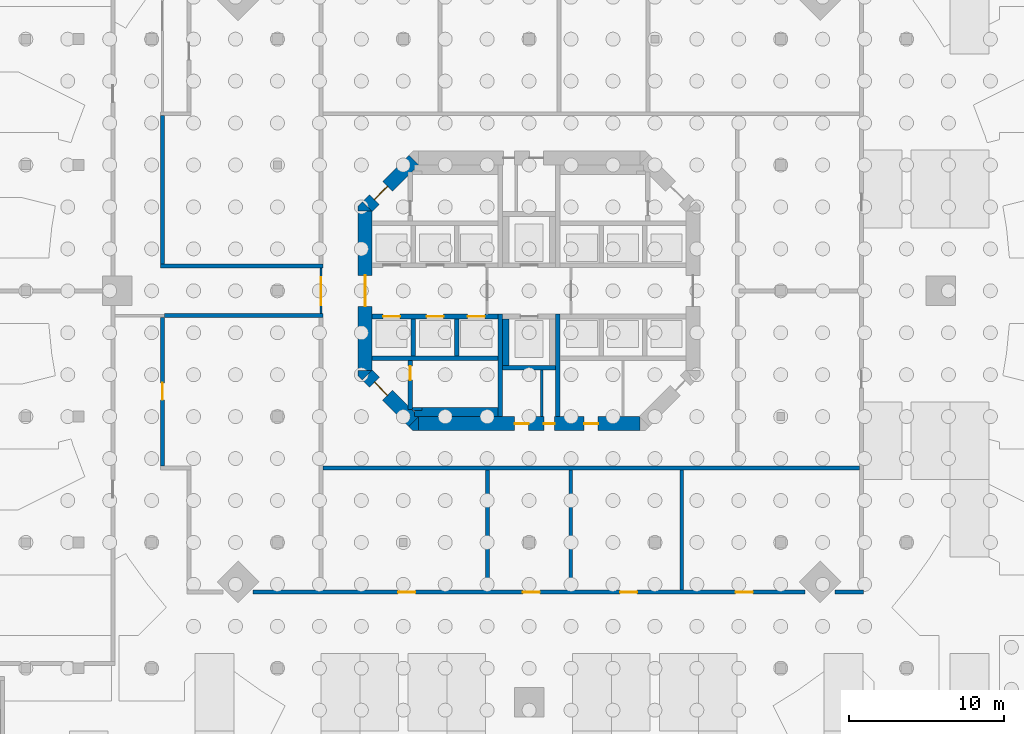
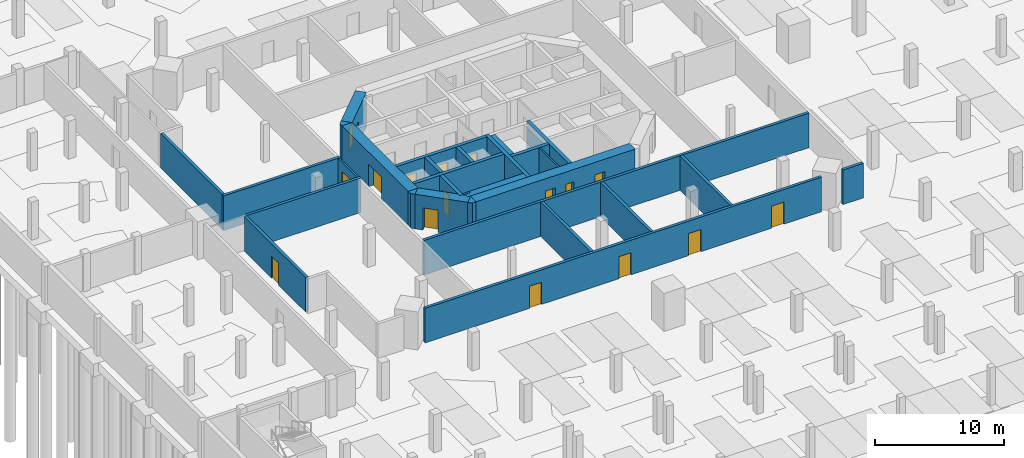
# One storey, part 13 of 23: 30 walls, 16 doors, 16 openings.
"""IFC4 building model written with IfcOpenShell, lengths in metres."""

import ifcopenshell
import ifcopenshell.guid

model = None  # the IFC model being written
_history = None  # IfcOwnerHistory: only IFC2X3 demands one
_inside = {}  # id of a spatial element -> (the spatial element, [elements in it])
_under = {}  # id of a project, library or spatial element -> (it, [spatial elements below it])
_declared = {}  # id of a project -> (the project, [libraries it declares])
_typed = {}  # id of a type object -> (the type object, [elements of that type])
_made_of = {}  # id of a material, layer set ... -> (it, [elements and type objects made of it])


def new_model(schema):
    """Start an empty IFC model of exactly this schema.

    Asked for "IFC4X3", IfcOpenShell would pick the latest addendum, in which some entities
    have other attributes; the version numbers below select the first issue.
    IFC2X3 requires an IfcOwnerHistory on every rooted entity: one is made here for all.
    """
    global model, _history
    if schema == "IFC4X3":
        model = ifcopenshell.file(schema_version=(4, 3, 0, 0))
    else:
        model = ifcopenshell.file(schema=schema)
    _inside.clear()
    _under.clear()
    _declared.clear()
    _typed.clear()
    _made_of.clear()
    _history = None
    if model.schema == "IFC2X3":
        org = make("IfcOrganization", Name="unknown")
        user = make(
            "IfcPersonAndOrganization",
            ThePerson=make("IfcPerson", FamilyName="unknown"),
            TheOrganization=org,
        )
        app = make(
            "IfcApplication",
            ApplicationDeveloper=org,
            Version="unknown",
            ApplicationFullName="unknown",
            ApplicationIdentifier="unknown",
        )
        _history = make(
            "IfcOwnerHistory",
            OwningUser=user,
            OwningApplication=app,
            ChangeAction="ADDED",
            CreationDate=0,
        )
    return model


def make(cls, **values):
    """One entity of the class cls with the attributes given. An attribute that is None is left unset."""
    return model.create_entity(
        cls, **{name: value for name, value in values.items() if value is not None}
    )


def rooted(cls, **values):
    """An entity with a GlobalId (a new one), such as an element, a storey or a relation."""
    return make(cls, GlobalId=ifcopenshell.guid.new(), OwnerHistory=_history, **values)


def si_unit(unit_type, name, prefix=None):
    """IfcSIUnit, for example si_unit("LENGTHUNIT", "METRE", prefix="MILLI")."""
    return make("IfcSIUnit", UnitType=unit_type, Prefix=prefix, Name=name)


def assignment(units):
    """IfcUnitAssignment: the units of a project."""
    return None if units is None else make("IfcUnitAssignment", Units=units)


def point(xyz):
    """IfcCartesianPoint."""
    return None if xyz is None else make("IfcCartesianPoint", Coordinates=xyz)


def direction(xyz):
    """IfcDirection."""
    return None if xyz is None else make("IfcDirection", DirectionRatios=xyz)


def frame(location, z_axis=None, x_axis=None):
    """IfcAxis2Placement3D, a coordinate frame: its origin and axes. An axis left out is left unset."""
    return make(
        "IfcAxis2Placement3D",
        Location=point(location),
        Axis=direction(z_axis),
        RefDirection=direction(x_axis),
    )


def frame_2d(location, x_axis=None):
    """IfcAxis2Placement2D, a coordinate frame in the plane: its origin and x axis."""
    return make(
        "IfcAxis2Placement2D", Location=point(location), RefDirection=direction(x_axis)
    )


def origin():
    """The frame at (0, 0, 0) with its axes left unset."""
    return frame((0.0, 0.0, 0.0))


def place(relative_to, where):
    """IfcLocalPlacement: puts the frame where relative to a parent placement (None: the world)."""
    return make(
        "IfcLocalPlacement", PlacementRelTo=relative_to, RelativePlacement=where
    )


def context(
    kind, dimensions, precision=None, world=None, true_north=None, identifier=None
):
    """IfcGeometricRepresentationContext, for example the 3D "Model" context."""
    return make(
        "IfcGeometricRepresentationContext",
        ContextIdentifier=identifier,
        ContextType=kind,
        CoordinateSpaceDimension=dimensions,
        Precision=precision,
        WorldCoordinateSystem=world,
        TrueNorth=true_north,
    )


def subcontext(parent, identifier, kind, view, scale=None):
    """IfcGeometricRepresentationSubContext, for example "Body" below "Model"."""
    return make(
        "IfcGeometricRepresentationSubContext",
        ContextIdentifier=identifier,
        ContextType=kind,
        ParentContext=parent,
        TargetScale=scale,
        TargetView=view,
    )


def project(units=None, contexts=None):
    """IfcProject with its units and contexts."""
    return rooted(
        "IfcProject",
        Name="project",
        RepresentationContexts=contexts,
        UnitsInContext=assignment(units),
    )


def spatial(cls, under=None, at=None, **own):
    """A site, building, storey or space (cls), placed at a placement, below another one or the project."""
    s = rooted(cls, ObjectPlacement=at, **own)
    if under is not None:
        _under.setdefault(under.id(), (under, []))[1].append(s)
    return s


def polyline(points):
    """IfcPolyline through the points."""
    return make("IfcPolyline", Points=[point(p) for p in points])


def profile(cls, at=None, kind="AREA", **sizes):
    """A parametric profile (cls). Its sizes go by their IFC names, for example OverallWidth=200.0."""
    return make(cls, ProfileType=kind, Position=at, **sizes)


def rectangle(**sizes):
    """IfcRectangleProfileDef."""
    return profile("IfcRectangleProfileDef", **sizes)


def outline(outer, holes=None, kind="AREA"):
    """IfcArbitraryClosedProfileDef: a profile drawn as a closed curve; with holes, ...WithVoids."""
    if holes is None:
        return make("IfcArbitraryClosedProfileDef", ProfileType=kind, OuterCurve=outer)
    return make(
        "IfcArbitraryProfileDefWithVoids",
        ProfileType=kind,
        OuterCurve=outer,
        InnerCurves=holes,
    )


def extrude(swept, where, along, depth):
    """IfcExtrudedAreaSolid: the profile swept, set in the frame where, extruded along a direction by depth."""
    return make(
        "IfcExtrudedAreaSolid",
        SweptArea=swept,
        Position=where,
        ExtrudedDirection=direction(along),
        Depth=depth,
    )


def shape(context_of_items, identifier, shape_type, items):
    """IfcShapeRepresentation: the items that make up one representation, for example the "Body"."""
    return make(
        "IfcShapeRepresentation",
        ContextOfItems=context_of_items,
        RepresentationIdentifier=identifier,
        RepresentationType=shape_type,
        Items=items,
    )


def material(Name=None, Category=None):
    """IfcMaterial."""
    return make("IfcMaterial", Name=Name, Category=Category)


def layer(
    of_material, thickness, ventilated=None, Name=None, Category=None, Priority=None
):
    """IfcMaterialLayer: one layer of a wall or slab, of a material (None: an air gap)."""
    return make(
        "IfcMaterialLayer",
        Material=of_material,
        LayerThickness=thickness,
        IsVentilated=ventilated,
        Name=Name,
        Category=Category,
        Priority=Priority,
    )


def layer_set(layers, Name=None):
    """IfcMaterialLayerSet."""
    return make("IfcMaterialLayerSet", MaterialLayers=layers, LayerSetName=Name)


def made_of(thing, what):
    """Note that an element or type object is made of a material, layer set ...; save() writes the relation."""
    if what is not None:
        _made_of.setdefault(what.id(), (what, []))[1].append(thing)
    return thing


def type_object(cls, material=None, **own):
    """A type object (cls), such as IfcWallType, which elements share."""
    return made_of(rooted(cls, **own), material)


def element(
    cls,
    number,
    at=None,
    inside=None,
    cuts=None,
    type_object=None,
    material=None,
    context=None,
    identifier="Body",
    shape_type=None,
    held_by="IfcProductDefinitionShape",
    body=None,
    shapes=None,
    **own,
):
    """One element of the class cls, such as IfcWall. Its Tag is "e" and its number.

    at: its placement. inside: the storey or other place that contains it. cuts: it is an
    opening in that element (IfcRelVoidsElement). A single representation is given by context,
    identifier, shape_type and body (its items); several are given by shapes. held_by: the class
    of the entity that holds the representations. save() writes the other relations.
    """
    e = rooted(cls, Tag="e%d" % number, ObjectPlacement=at, **own)
    if body is not None:
        shapes = [shape(context, identifier, shape_type, body)]
    if shapes is not None:
        e.Representation = make(held_by, Representations=shapes)
    if inside is not None:
        _inside.setdefault(inside.id(), (inside, []))[1].append(e)
    if cuts is not None:
        rooted(
            "IfcRelVoidsElement", RelatingBuildingElement=cuts, RelatedOpeningElement=e
        )
    if type_object is not None:
        _typed.setdefault(type_object.id(), (type_object, []))[1].append(e)
    return made_of(e, material)


def fill(opening, filler):
    """IfcRelFillsElement: the door or window that sits in an opening."""
    return rooted(
        "IfcRelFillsElement",
        RelatingOpeningElement=opening,
        RelatedBuildingElement=filler,
    )


def aggregate(whole, parts):
    """IfcRelAggregates: a whole, such as a stair, and the parts it consists of."""
    return rooted("IfcRelAggregates", RelatingObject=whole, RelatedObjects=parts)


def save(model, path):
    """Write the relations noted so far, then the file.

    IfcRelAggregates (storeys below a building ...), IfcRelContainedInSpatialStructure (elements
    in a storey), IfcRelDefinesByType, IfcRelAssociatesMaterial and IfcRelDeclares: one each for
    every whole, place, type object, material and project.
    """
    for whole, parts in _under.values():
        aggregate(whole, parts)
    for where, things in _inside.values():
        rooted(
            "IfcRelContainedInSpatialStructure",
            RelatedElements=things,
            RelatingStructure=where,
        )
    for kind, things in _typed.values():
        rooted("IfcRelDefinesByType", RelatedObjects=things, RelatingType=kind)
    for what, things in _made_of.values():
        rooted("IfcRelAssociatesMaterial", RelatedObjects=things, RelatingMaterial=what)
    for by, libraries in _declared.values():
        rooted("IfcRelDeclares", RelatingContext=by, RelatedDefinitions=libraries)
    model.write(path)


model = new_model("IFC4")

# Units and contexts
model_context = context("Model", 3, precision=1e-05, world=origin(), true_north=direction((0.0, 1.0)))
body_context = subcontext(model_context, "Body", "Model", "MODEL_VIEW")
ifc_project = project(units=[si_unit("LENGTHUNIT", "METRE"), si_unit("AREAUNIT", "SQUARE_METRE"), si_unit("VOLUMEUNIT", "CUBIC_METRE"), si_unit("PLANEANGLEUNIT", "RADIAN"), si_unit("MASSUNIT", "GRAM", prefix="KILO")], contexts=[model_context])

# Site, building, storey
site_placement = place(None, origin())
site = spatial("IfcSite", under=ifc_project, at=site_placement, CompositionType="ELEMENT")
building_placement = place(site_placement, origin())
building = spatial("IfcBuilding", under=site, at=building_placement, Name="Torre Triforio", CompositionType="ELEMENT")
storey_placement = place(building_placement, frame((0.0, 0.0, -10.800048828125)))
storey = spatial("IfcBuildingStorey", under=building, at=storey_placement, Name="B3", CompositionType="ELEMENT", Elevation=-10.800048828125)

# Walls
ifc_material_1 = material(Name="Concrete C60", Category="concrete")
ifc_layer_1 = layer(ifc_material_1, 0.300048828125)
ifc_layer_set_1 = layer_set([ifc_layer_1], Name="Concrete C60")
wall_type_1 = type_object("IfcWallType", Name="Core wall 300 mm C60 EI 120", PredefinedType="SHEAR", material=ifc_layer_set_1)
for number, where, z_axis, x_axis, name in (
    (1, (-1.85009765625, -8.10009765625, 0.0), (0.0, 0.0, 1.0), (0.0, 1.0, 0.0), "Core wall"),
    (2, (1.85009765625, -8.10009765625, 0.0), (0.0, 0.0, 1.0), (0.0, 1.0, 0.0), "Core wall"),
):
    element("IfcWall", number, at=place(storey_placement, frame(where, z_axis=z_axis, x_axis=x_axis)), inside=storey, type_object=wall_type_1, Name=name, PredefinedType="SHEAR", context=body_context, shape_type="SweptSolid", body=[
        extrude(rectangle(XDim=6.60009765625, YDim=0.300048828125, at=frame_2d((3.300048828125, 0.0))), origin(), (0.0, 0.0, 1.0), 3.280029296875),
    ])

# Wall, openings, doors
ifc_layer_2 = layer(ifc_material_1, 0.89990234375)
ifc_layer_set_2 = layer_set([ifc_layer_2], Name="Concrete C60")
wall_type_2 = type_object("IfcWallType", Name="Core wall 900 mm C60 EI 120", PredefinedType="SHEAR", material=ifc_layer_set_2)
wall_1_placement = place(storey_placement, frame((-7.1298828125, -8.550048828125, 0.0), z_axis=(0.0, 0.0, 1.0), x_axis=(1.0, 0.0, 0.0)))
wall_1 = element("IfcWall", 3, at=wall_1_placement, inside=storey, type_object=wall_type_2, Name="Core wall", PredefinedType="SHEAR", context=body_context, shape_type="SweptSolid", body=[
    extrude(rectangle(XDim=14.259765625, YDim=0.89990234375, at=frame_2d((7.1298828125, 0.0))), origin(), (0.0, 0.0, 1.0), 3.280029296875),
])
opening_1_placement = place(wall_1_placement, frame((8.080078125, 0.0, 0.0)))
opening_1 = element("IfcOpeningElement", 4, at=opening_1_placement, cuts=wall_1, Name="Opening RISER-S", PredefinedType="OPENING", context=body_context, shape_type="SweptSolid", body=[
    extrude(rectangle(XDim=0.699951171875, YDim=2.10009765625, at=frame_2d((0.35009765625, 1.050048828125))), frame((0.0, 0.4599609375, 0.0), z_axis=(0.0, -1.0, 0.0), x_axis=(1.0, 0.0, 0.0)), (0.0, 0.0, 1.0), 0.919921875),
])
opening_2_placement = place(wall_1_placement, frame((6.205078125, 0.0, 0.0)))
opening_2 = element("IfcOpeningElement", 5, at=opening_2_placement, cuts=wall_1, Name="Opening SW-01", PredefinedType="OPENING", context=body_context, shape_type="SweptSolid", body=[
    extrude(rectangle(XDim=0.89990234375, YDim=2.10009765625, at=frame_2d((0.449951171875, 1.050048828125))), frame((0.0, 0.4599609375, 0.0), z_axis=(0.0, -1.0, 0.0), x_axis=(1.0, 0.0, 0.0)), (0.0, 0.0, 1.0), 0.919921875),
])
opening_3_placement = place(wall_1_placement, frame((10.66748046875, 0.0, 0.0)))
opening_3 = element("IfcOpeningElement", 6, at=opening_3_placement, cuts=wall_1, Name="Opening SE-01", PredefinedType="OPENING", context=body_context, shape_type="SweptSolid", body=[
    extrude(rectangle(XDim=0.89990234375, YDim=2.10009765625, at=frame_2d((0.449951171875, 1.050048828125))), frame((0.0, 0.4599609375, 0.0), z_axis=(0.0, -1.0, 0.0), x_axis=(1.0, 0.0, 0.0)), (0.0, 0.0, 1.0), 0.919921875),
])
ifc_material_2 = material(Name="Hollow metal fire door leaf")
door_type_1 = type_object("IfcDoorType", Name="Plant room door 900 x 2100 EI 60", OperationType="NOTDEFINED", PredefinedType="DOOR", material=ifc_material_2)
door_1_placement = place(opening_2_placement, origin())
door_1 = element("IfcDoor", 7, at=door_1_placement, inside=storey, type_object=door_type_1, Name="Core door SW-01", OperationType="SINGLE_SWING_RIGHT", OverallHeight=2.10009765625, OverallWidth=0.89990234375, PredefinedType="DOOR", context=body_context, shape_type="SweptSolid", body=[
    extrude(rectangle(XDim=0.89990234375, YDim=2.10009765625, at=frame_2d((0.449951171875, 1.050048828125))), frame((0.0, 0.02490234375, 0.0), z_axis=(0.0, -1.0, 0.0), x_axis=(1.0, 0.0, 0.0)), (0.0, 0.0, 1.0), 0.050048828125),
])
fill(opening_2, door_1)
door_2_placement = place(opening_3_placement, origin())
door_2 = element("IfcDoor", 8, at=door_2_placement, inside=storey, type_object=door_type_1, Name="Core door SE-01", OperationType="SINGLE_SWING_RIGHT", OverallHeight=2.10009765625, OverallWidth=0.89990234375, PredefinedType="DOOR", context=body_context, shape_type="SweptSolid", body=[
    extrude(rectangle(XDim=0.89990234375, YDim=2.10009765625, at=frame_2d((0.449951171875, 1.050048828125))), frame((0.0, 0.02490234375, 0.0), z_axis=(0.0, -1.0, 0.0), x_axis=(1.0, 0.0, 0.0)), (0.0, 0.0, 1.0), 0.050048828125),
])
fill(opening_3, door_2)
door_type_2 = type_object("IfcDoorType", Name="Riser door 700 x 2100 EI 60", OperationType="NOTDEFINED", PredefinedType="DOOR", material=ifc_material_2)
door_3_placement = place(opening_1_placement, origin())
door_3 = element("IfcDoor", 9, at=door_3_placement, inside=storey, type_object=door_type_2, Name="Core door RISER-S", OperationType="SINGLE_SWING_RIGHT", OverallHeight=2.10009765625, OverallWidth=0.699951171875, PredefinedType="DOOR", context=body_context, shape_type="SweptSolid", body=[
    extrude(rectangle(XDim=0.699951171875, YDim=2.10009765625, at=frame_2d((0.35009765625, 1.050048828125))), frame((0.0, 0.02490234375, 0.0), z_axis=(0.0, -1.0, 0.0), x_axis=(1.0, 0.0, 0.0)), (0.0, 0.0, 1.0), 0.050048828125),
])
fill(opening_1, door_3)

# Wall, opening, door
wall_2_placement = place(storey_placement, frame((-10.550048828125, -5.1298828125, 0.0), z_axis=(0.0, 0.0, 1.0), x_axis=(0.0, 1.0, 0.0)))
wall_2 = element("IfcWall", 10, at=wall_2_placement, inside=storey, type_object=wall_type_2, Name="Core wall", PredefinedType="SHEAR", context=body_context, shape_type="SweptSolid", body=[
    extrude(rectangle(XDim=10.259765625, YDim=0.89990234375, at=frame_2d((5.1298828125, 0.0))), origin(), (0.0, 0.0, 1.0), 3.280029296875),
])
opening_4_placement = place(wall_2_placement, frame((4.1298828125, 0.0, 0.0)))
opening_4 = element("IfcOpeningElement", 11, at=opening_4_placement, cuts=wall_2, Name="Opening W-RING", PredefinedType="OPENING", context=body_context, shape_type="SweptSolid", body=[
    extrude(rectangle(XDim=2.0, YDim=2.10009765625, at=frame_2d((1.0, 1.050048828125))), frame((0.0, 0.4599609375, 0.0), z_axis=(0.0, -1.0, 0.0), x_axis=(1.0, 0.0, 0.0)), (0.0, 0.0, 1.0), 0.919921875),
])
door_type_3 = type_object("IfcDoorType", Name="Lobby door 2000 x 2100 EI 60", OperationType="DOUBLE_DOOR_SINGLE_SWING", PredefinedType="DOOR", material=ifc_material_2)
door_4_placement = place(opening_4_placement, origin())
door_4 = element("IfcDoor", 12, at=door_4_placement, inside=storey, type_object=door_type_3, Name="Core door W-RING", OperationType="DOUBLE_DOOR_SINGLE_SWING", OverallHeight=2.10009765625, OverallWidth=2.0, PredefinedType="DOOR", context=body_context, shape_type="SweptSolid", body=[
    extrude(rectangle(XDim=2.0, YDim=2.10009765625, at=frame_2d((1.0, 1.050048828125))), frame((0.0, 0.02490234375, 0.0), z_axis=(0.0, -1.0, 0.0), x_axis=(1.0, 0.0, 0.0)), (0.0, 0.0, 1.0), 0.050048828125),
])
fill(opening_4, door_4)

wall_3_placement = place(storey_placement, frame((-10.418212890625, 5.418212890625, 0.0), z_axis=(0.0, 0.0, 1.0), x_axis=(0.707106781187, 0.707106781187, 0.0)))
wall_3 = element("IfcWall", 13, at=wall_3_placement, inside=storey, type_object=wall_type_2, Name="Core wall", PredefinedType="SHEAR", context=body_context, shape_type="SweptSolid", body=[
    extrude(rectangle(XDim=4.24267578125, YDim=0.89990234375, at=frame_2d((2.121337890625, 0.0))), origin(), (0.0, 0.0, 1.0), 3.280029296875),
])
opening_5_placement = place(wall_3_placement, frame((0.64990234375, 0.0, 0.0)))
opening_5 = element("IfcOpeningElement", 14, at=opening_5_placement, cuts=wall_3, Name="Opening ST1-EXIT", PredefinedType="OPENING", context=body_context, shape_type="SweptSolid", body=[
    extrude(rectangle(XDim=1.199951171875, YDim=2.10009765625, at=frame_2d((0.60009765625, 1.050048828125))), frame((0.0, 0.4599609375, 0.0), z_axis=(0.0, -1.0, 0.0), x_axis=(1.0, 0.0, 0.0)), (0.0, 0.0, 1.0), 0.919921875),
])
door_type_4 = type_object("IfcDoorType", Name="Stair lobby door 1200 x 2100 EI 60", OperationType="NOTDEFINED", PredefinedType="DOOR", material=ifc_material_2)
door_5_placement = place(opening_5_placement, origin())
door_5 = element("IfcDoor", 15, at=door_5_placement, inside=storey, type_object=door_type_4, Name="Core door ST1-EXIT", OperationType="SINGLE_SWING_RIGHT", OverallHeight=2.10009765625, OverallWidth=1.199951171875, PredefinedType="DOOR", context=body_context, shape_type="SweptSolid", body=[
    extrude(rectangle(XDim=1.199951171875, YDim=2.10009765625, at=frame_2d((0.60009765625, 1.050048828125))), frame((0.0, 0.02490234375, 0.0), z_axis=(0.0, -1.0, 0.0), x_axis=(1.0, 0.0, 0.0)), (0.0, 0.0, 1.0), 0.050048828125),
])
fill(opening_5, door_5)

wall_4_placement = place(storey_placement, frame((-7.418212890625, -8.418212890625, 0.0), z_axis=(0.0, 0.0, 1.0), x_axis=(-0.707106781187, 0.707106781187, 0.0)))
wall_4 = element("IfcWall", 16, at=wall_4_placement, inside=storey, type_object=wall_type_2, Name="Core wall", PredefinedType="SHEAR", context=body_context, shape_type="SweptSolid", body=[
    extrude(rectangle(XDim=4.24267578125, YDim=0.89990234375, at=frame_2d((2.121337890625, 0.0))), origin(), (0.0, 0.0, 1.0), 3.280029296875),
])
opening_6_placement = place(wall_4_placement, frame((2.392578125, 0.0, 0.0)))
opening_6 = element("IfcOpeningElement", 17, at=opening_6_placement, cuts=wall_4, Name="Opening ST3-EXIT", PredefinedType="OPENING", context=body_context, shape_type="SweptSolid", body=[
    extrude(rectangle(XDim=1.199951171875, YDim=2.10009765625, at=frame_2d((0.60009765625, 1.050048828125))), frame((0.0, 0.4599609375, 0.0), z_axis=(0.0, -1.0, 0.0), x_axis=(1.0, 0.0, 0.0)), (0.0, 0.0, 1.0), 0.919921875),
])
door_6_placement = place(opening_6_placement, origin())
door_6 = element("IfcDoor", 18, at=door_6_placement, inside=storey, type_object=door_type_4, Name="Core door ST3-EXIT", OperationType="SINGLE_SWING_LEFT", OverallHeight=2.10009765625, OverallWidth=1.199951171875, PredefinedType="DOOR", context=body_context, shape_type="SweptSolid", body=[
    extrude(rectangle(XDim=1.199951171875, YDim=2.10009765625, at=frame_2d((0.60009765625, 1.050048828125))), frame((0.0, 0.02490234375, 0.0), z_axis=(0.0, -1.0, 0.0), x_axis=(1.0, 0.0, 0.0)), (0.0, 0.0, 1.0), 0.050048828125),
])
fill(opening_6, door_6)

# Walls
wall_5_placement = place(storey_placement, origin())
element("IfcWall", 19, at=wall_5_placement, inside=storey, type_object=wall_type_2, Name="Core wall", PredefinedType="SHEAR", context=body_context, shape_type="SweptSolid", body=[
    extrude(outline(polyline([(-7.472900390625, -9.0), (-7.736328125, -8.736328125), (-7.1298828125, -8.1298828125), (-7.1298828125, -9.0), (-7.472900390625, -9.0)])), origin(), (0.0, 0.0, 1.0), 3.280029296875),
])
wall_6_placement = place(storey_placement, origin())
element("IfcWall", 20, at=wall_6_placement, inside=storey, type_object=wall_type_2, Name="Core wall", PredefinedType="SHEAR", context=body_context, shape_type="SweptSolid", body=[
    extrude(outline(polyline([(-11.0, -5.472900390625), (-11.0, -5.1298828125), (-10.1298828125, -5.1298828125), (-10.736328125, -5.736328125), (-11.0, -5.472900390625)])), origin(), (0.0, 0.0, 1.0), 3.280029296875),
])
wall_7_placement = place(storey_placement, origin())
element("IfcWall", 21, at=wall_7_placement, inside=storey, type_object=wall_type_2, Name="Core wall", PredefinedType="SHEAR", context=body_context, shape_type="SweptSolid", body=[
    extrude(outline(polyline([(-10.736328125, 5.736328125), (-10.1298828125, 5.1298828125), (-11.0, 5.1298828125), (-11.0, 5.472900390625), (-10.736328125, 5.736328125)])), origin(), (0.0, 0.0, 1.0), 3.280029296875),
])

# Wall, opening, door
ifc_material_3 = material(Name="Plasterboard on metal studs")
ifc_layer_3 = layer(ifc_material_3, 0.14990234375)
ifc_layer_set_3 = layer_set([ifc_layer_3], Name="Plasterboard on metal studs")
wall_type_3 = type_object("IfcWallType", Name="Corridor wall 150 EI 60", PredefinedType="PARTITIONING", material=ifc_layer_set_3)
wall_8_placement = place(storey_placement, frame((-13.39990234375, -1.47509765625, 0.0), z_axis=(0.0, 0.0, 1.0), x_axis=(0.0, 1.0, 0.0)))
wall_8 = element("IfcWall", 22, at=wall_8_placement, inside=storey, type_object=wall_type_3, Name="Corridor wall B3 049", PredefinedType="PARTITIONING", context=body_context, shape_type="SweptSolid", body=[
    extrude(rectangle(XDim=2.9501953125, YDim=0.14990234375, at=frame_2d((1.47509765625, 0.0))), origin(), (0.0, 0.0, 1.0), 3.280029296875),
])
opening_7_placement = place(wall_8_placement, frame((0.550048828125, 0.0, 0.0)))
opening_7 = element("IfcOpeningElement", 23, at=opening_7_placement, cuts=wall_8, Name="Opening BS3-20", PredefinedType="OPENING", context=body_context, shape_type="SweptSolid", body=[
    extrude(rectangle(XDim=1.800048828125, YDim=2.39990234375, at=frame_2d((0.89990234375, 1.199951171875))), frame((0.0, 0.0849609375, 0.0), z_axis=(0.0, -1.0, 0.0), x_axis=(1.0, 0.0, 0.0)), (0.0, 0.0, 1.0), 0.169921875),
])
ifc_material_4 = material(Name="Timber door leaf", Category="wood")
door_type_5 = type_object("IfcDoorType", Name="Double door 1800 x 2400 EI 60", OperationType="NOTDEFINED", PredefinedType="DOOR", material=ifc_material_4)
door_7_placement = place(opening_7_placement, origin())
door_7 = element("IfcDoor", 24, at=door_7_placement, inside=storey, type_object=door_type_5, Name="Door BS3-20", OperationType="SINGLE_SWING_LEFT", OverallHeight=2.39990234375, OverallWidth=1.800048828125, PredefinedType="DOOR", context=body_context, shape_type="SweptSolid", body=[
    extrude(rectangle(XDim=1.800048828125, YDim=2.39990234375, at=frame_2d((0.89990234375, 1.199951171875))), frame((0.0, 0.02490234375, 0.0), z_axis=(0.0, -1.0, 0.0), x_axis=(1.0, 0.0, 0.0)), (0.0, 0.0, 1.0), 0.050048828125),
])
fill(opening_7, door_7)

# Walls
ifc_material_5 = material(Name="Block and board partition")
ifc_layer_4 = layer(ifc_material_5, 0.14990234375)
ifc_layer_set_4 = layer_set([ifc_layer_4], Name="Block and board partition")
wall_type_4 = type_object("IfcWallType", Name="Partition 150 mm EI 120", PredefinedType="PARTITIONING", material=ifc_layer_set_4)
wall_9_placement = place(storey_placement, frame((0.824951171875, -8.10009765625, 0.0), z_axis=(0.0, 0.0, 1.0), x_axis=(0.0, 1.0, 0.0)))
element("IfcWall", 25, at=wall_9_placement, inside=storey, type_object=wall_type_4, Name="Partition", PredefinedType="PARTITIONING", context=body_context, shape_type="SweptSolid", body=[
    extrude(rectangle(XDim=3.0, YDim=0.14990234375, at=frame_2d((1.5, 0.0))), origin(), (0.0, 0.0, 1.0), 3.280029296875),
])
ifc_material_6 = material(Name="Masonry block", Category="masonry")
ifc_layer_5 = layer(ifc_material_6, 0.25)
ifc_layer_set_5 = layer_set([ifc_layer_5], Name="Masonry block")
wall_type_5 = type_object("IfcWallType", Name="Plant room wall 250 EI 120", PredefinedType="PARTITIONING", material=ifc_layer_set_5)
wall_10_placement = place(storey_placement, frame((19.6982421875, -19.39990234375, 0.0), z_axis=(0.0, 0.0, 1.0), x_axis=(1.0, 0.0, 0.0)))
element("IfcWall", 26, at=wall_10_placement, inside=storey, type_object=wall_type_5, Name="Plant room wall B3 029", PredefinedType="PARTITIONING", context=body_context, shape_type="SweptSolid", body=[
    extrude(rectangle(XDim=1.82666015625, YDim=0.25, at=frame_2d((0.913330078125, 0.0))), origin(), (0.0, 0.0, 1.0), 3.280029296875),
])

# Wall, openings, doors
wall_11_placement = place(storey_placement, frame((-17.7783203125, -19.39990234375, 0.0), z_axis=(0.0, 0.0, 1.0), x_axis=(1.0, 0.0, 0.0)))
wall_11 = element("IfcWall", 27, at=wall_11_placement, inside=storey, type_object=wall_type_5, Name="Plant room wall B3 045", PredefinedType="PARTITIONING", context=body_context, shape_type="SweptSolid", body=[
    extrude(rectangle(XDim=35.556640625, YDim=0.25, at=frame_2d((17.7783203125, 0.0))), origin(), (0.0, 0.0, 1.0), 3.280029296875),
])
opening_8_placement = place(wall_11_placement, frame((9.353271484375, 0.0, 0.0)))
opening_8 = element("IfcOpeningElement", 28, at=opening_8_placement, cuts=wall_11, Name="Opening BS3-09", PredefinedType="OPENING", context=body_context, shape_type="SweptSolid", body=[
    extrude(rectangle(XDim=1.10009765625, YDim=2.10009765625, at=frame_2d((0.550048828125, 1.050048828125))), frame((0.0, 0.135009765625, 0.0), z_axis=(0.0, -1.0, 0.0), x_axis=(1.0, 0.0, 0.0)), (0.0, 0.0, 1.0), 0.27001953125),
])
opening_9_placement = place(wall_11_placement, frame((17.373291015625, 0.0, 0.0)))
opening_9 = element("IfcOpeningElement", 29, at=opening_9_placement, cuts=wall_11, Name="Opening BS3-10", PredefinedType="OPENING", context=body_context, shape_type="SweptSolid", body=[
    extrude(rectangle(XDim=1.10009765625, YDim=2.10009765625, at=frame_2d((0.550048828125, 1.050048828125))), frame((0.0, 0.135009765625, 0.0), z_axis=(0.0, -1.0, 0.0), x_axis=(1.0, 0.0, 0.0)), (0.0, 0.0, 1.0), 0.27001953125),
])
opening_10_placement = place(wall_11_placement, frame((23.63330078125, 0.0, 0.0)))
opening_10 = element("IfcOpeningElement", 30, at=opening_10_placement, cuts=wall_11, Name="Opening BS3-11", PredefinedType="OPENING", context=body_context, shape_type="SweptSolid", body=[
    extrude(rectangle(XDim=1.10009765625, YDim=2.10009765625, at=frame_2d((0.550048828125, 1.050048828125))), frame((0.0, 0.135009765625, 0.0), z_axis=(0.0, -1.0, 0.0), x_axis=(1.0, 0.0, 0.0)), (0.0, 0.0, 1.0), 0.27001953125),
])
opening_11_placement = place(wall_11_placement, frame((31.080078125, 0.0, 0.0)))
opening_11 = element("IfcOpeningElement", 31, at=opening_11_placement, cuts=wall_11, Name="Opening BS3-12", PredefinedType="OPENING", context=body_context, shape_type="SweptSolid", body=[
    extrude(rectangle(XDim=1.10009765625, YDim=2.10009765625, at=frame_2d((0.550048828125, 1.050048828125))), frame((0.0, 0.135009765625, 0.0), z_axis=(0.0, -1.0, 0.0), x_axis=(1.0, 0.0, 0.0)), (0.0, 0.0, 1.0), 0.27001953125),
])
door_type_6 = type_object("IfcDoorType", Name="Plant room door 1100 x 2100 EI 60", OperationType="NOTDEFINED", PredefinedType="DOOR", material=ifc_material_2)
door_8_placement = place(opening_8_placement, origin())
door_8 = element("IfcDoor", 32, at=door_8_placement, inside=storey, type_object=door_type_6, Name="Door BS3-09", OperationType="SINGLE_SWING_LEFT", OverallHeight=2.10009765625, OverallWidth=1.10009765625, PredefinedType="DOOR", context=body_context, shape_type="SweptSolid", body=[
    extrude(rectangle(XDim=1.10009765625, YDim=2.10009765625, at=frame_2d((0.550048828125, 1.050048828125))), frame((0.0, 0.02490234375, 0.0), z_axis=(0.0, -1.0, 0.0), x_axis=(1.0, 0.0, 0.0)), (0.0, 0.0, 1.0), 0.050048828125),
])
fill(opening_8, door_8)
door_9_placement = place(opening_9_placement, origin())
door_9 = element("IfcDoor", 33, at=door_9_placement, inside=storey, type_object=door_type_6, Name="Door BS3-10", OperationType="SINGLE_SWING_LEFT", OverallHeight=2.10009765625, OverallWidth=1.10009765625, PredefinedType="DOOR", context=body_context, shape_type="SweptSolid", body=[
    extrude(rectangle(XDim=1.10009765625, YDim=2.10009765625, at=frame_2d((0.550048828125, 1.050048828125))), frame((0.0, 0.02490234375, 0.0), z_axis=(0.0, -1.0, 0.0), x_axis=(1.0, 0.0, 0.0)), (0.0, 0.0, 1.0), 0.050048828125),
])
fill(opening_9, door_9)
door_10_placement = place(opening_10_placement, origin())
door_10 = element("IfcDoor", 34, at=door_10_placement, inside=storey, type_object=door_type_6, Name="Door BS3-11", OperationType="SINGLE_SWING_LEFT", OverallHeight=2.10009765625, OverallWidth=1.10009765625, PredefinedType="DOOR", context=body_context, shape_type="SweptSolid", body=[
    extrude(rectangle(XDim=1.10009765625, YDim=2.10009765625, at=frame_2d((0.550048828125, 1.050048828125))), frame((0.0, 0.02490234375, 0.0), z_axis=(0.0, -1.0, 0.0), x_axis=(1.0, 0.0, 0.0)), (0.0, 0.0, 1.0), 0.050048828125),
])
fill(opening_10, door_10)
door_11_placement = place(opening_11_placement, origin())
door_11 = element("IfcDoor", 35, at=door_11_placement, inside=storey, type_object=door_type_6, Name="Door BS3-12", OperationType="SINGLE_SWING_LEFT", OverallHeight=2.10009765625, OverallWidth=1.10009765625, PredefinedType="DOOR", context=body_context, shape_type="SweptSolid", body=[
    extrude(rectangle(XDim=1.10009765625, YDim=2.10009765625, at=frame_2d((0.550048828125, 1.050048828125))), frame((0.0, 0.02490234375, 0.0), z_axis=(0.0, -1.0, 0.0), x_axis=(1.0, 0.0, 0.0)), (0.0, 0.0, 1.0), 0.050048828125),
])
fill(opening_11, door_11)

# Wall, opening, door
wall_12_placement = place(storey_placement, frame((-23.60009765625, -11.27490234375, 0.0), z_axis=(0.0, 0.0, 1.0), x_axis=(0.0, 1.0, 0.0)))
wall_12 = element("IfcWall", 36, at=wall_12_placement, inside=storey, type_object=wall_type_5, Name="Plant room wall B3 047", PredefinedType="PARTITIONING", context=body_context, shape_type="SweptSolid", body=[
    extrude(rectangle(XDim=9.5498046875, YDim=0.25, at=frame_2d((4.77490234375, 0.0))), origin(), (0.0, 0.0, 1.0), 3.280029296875),
])
opening_12_placement = place(wall_12_placement, frame((4.25, 0.0, 0.0)))
opening_12 = element("IfcOpeningElement", 37, at=opening_12_placement, cuts=wall_12, Name="Opening BS3-18", PredefinedType="OPENING", context=body_context, shape_type="SweptSolid", body=[
    extrude(rectangle(XDim=1.10009765625, YDim=2.10009765625, at=frame_2d((0.550048828125, 1.050048828125))), frame((0.0, 0.135009765625, 0.0), z_axis=(0.0, -1.0, 0.0), x_axis=(1.0, 0.0, 0.0)), (0.0, 0.0, 1.0), 0.27001953125),
])
door_12_placement = place(opening_12_placement, origin())
door_12 = element("IfcDoor", 38, at=door_12_placement, inside=storey, type_object=door_type_6, Name="Door BS3-18", OperationType="SINGLE_SWING_LEFT", OverallHeight=2.10009765625, OverallWidth=1.10009765625, PredefinedType="DOOR", context=body_context, shape_type="SweptSolid", body=[
    extrude(rectangle(XDim=1.10009765625, YDim=2.10009765625, at=frame_2d((0.550048828125, 1.050048828125))), frame((0.0, 0.02490234375, 0.0), z_axis=(0.0, -1.0, 0.0), x_axis=(1.0, 0.0, 0.0)), (0.0, 0.0, 1.0), 0.050048828125),
])
fill(opening_12, door_12)

# Walls
wall_13_placement = place(storey_placement, frame((-23.72509765625, 1.60009765625, 0.0), z_axis=(0.0, 0.0, 1.0), x_axis=(1.0, 0.0, 0.0)))
element("IfcWall", 39, at=wall_13_placement, inside=storey, type_object=wall_type_5, Name="Plant room wall B3 051", PredefinedType="PARTITIONING", context=body_context, shape_type="SweptSolid", body=[
    extrude(rectangle(XDim=10.4501953125, YDim=0.25, at=frame_2d((5.22509765625, 0.0))), origin(), (0.0, 0.0, 1.0), 3.280029296875),
])
wall_14_placement = place(storey_placement, frame((-23.47509765625, -1.60009765625, 0.0), z_axis=(0.0, 0.0, 1.0), x_axis=(1.0, 0.0, 0.0)))
element("IfcWall", 40, at=wall_14_placement, inside=storey, type_object=wall_type_5, Name="Plant room wall B3 052", PredefinedType="PARTITIONING", context=body_context, shape_type="SweptSolid", body=[
    extrude(rectangle(XDim=10.2001953125, YDim=0.25, at=frame_2d((5.10009765625, 0.0))), origin(), (0.0, 0.0, 1.0), 3.280029296875),
])
wall_15_placement = place(storey_placement, frame((-23.60009765625, 1.72509765625, 0.0), z_axis=(0.0, 0.0, 1.0), x_axis=(0.0, 1.0, 0.0)))
element("IfcWall", 41, at=wall_15_placement, inside=storey, type_object=wall_type_5, Name="Plant room wall B3 053", PredefinedType="PARTITIONING", context=body_context, shape_type="SweptSolid", body=[
    extrude(rectangle(XDim=9.5498046875, YDim=0.25, at=frame_2d((4.77490234375, 0.0))), origin(), (0.0, 0.0, 1.0), 3.280029296875),
])
wall_16_placement = place(storey_placement, frame((-13.27490234375, -11.39990234375, 0.0), z_axis=(0.0, 0.0, 1.0), x_axis=(1.0, 0.0, 0.0)))
element("IfcWall", 42, at=wall_16_placement, inside=storey, type_object=wall_type_5, Name="Plant room wall B3 054", PredefinedType="PARTITIONING", context=body_context, shape_type="SweptSolid", body=[
    extrude(rectangle(XDim=34.5498046875, YDim=0.25, at=frame_2d((17.27490234375, 0.0))), origin(), (0.0, 0.0, 1.0), 3.280029296875),
])
for number, where, z_axis, x_axis, name in (
    (43, (-2.679931640625, -19.27490234375, 0.0), (0.0, 0.0, 1.0), (0.0, 1.0, 0.0), "Plant room wall B3 056"),
    (44, (2.679931640625, -19.27490234375, 0.0), (0.0, 0.0, 1.0), (0.0, 1.0, 0.0), "Plant room wall B3 058"),
    (45, (9.82666015625, -19.27490234375, 0.0), (0.0, 0.0, 1.0), (0.0, 1.0, 0.0), "Plant room wall B3 059"),
):
    element("IfcWall", number, at=place(storey_placement, frame(where, z_axis=z_axis, x_axis=x_axis)), inside=storey, type_object=wall_type_5, Name=name, PredefinedType="PARTITIONING", context=body_context, shape_type="SweptSolid", body=[
        extrude(rectangle(XDim=7.75, YDim=0.25, at=frame_2d((3.875, 0.0))), origin(), (0.0, 0.0, 1.0), 3.280029296875),
    ])
ifc_layer_6 = layer(ifc_material_1, 0.300048828125)
ifc_layer_set_6 = layer_set([ifc_layer_6], Name="Concrete C60")
wall_type_6 = type_object("IfcWallType", Name="Shaft wall 300 mm C60 EI 120", PredefinedType="SOLIDWALL", material=ifc_layer_set_6)
wall_17_placement = place(storey_placement, frame((-10.10009765625, -4.35009765625, 0.0), z_axis=(0.0, 0.0, 1.0), x_axis=(1.0, 0.0, 0.0)))
element("IfcWall", 46, at=wall_17_placement, inside=storey, type_object=wall_type_6, Name="Shaft wall", PredefinedType="SOLIDWALL", context=body_context, shape_type="SweptSolid", body=[
    extrude(rectangle(XDim=8.10009765625, YDim=0.300048828125, at=frame_2d((4.050048828125, 0.0))), origin(), (0.0, 0.0, 1.0), 3.280029296875),
])

# Wall, openings, doors
wall_18_placement = place(storey_placement, frame((-10.10009765625, -1.64990234375, 0.0), z_axis=(0.0, 0.0, 1.0), x_axis=(1.0, 0.0, 0.0)))
wall_18 = element("IfcWall", 47, at=wall_18_placement, inside=storey, type_object=wall_type_6, Name="Shaft wall", PredefinedType="SOLIDWALL", context=body_context, shape_type="SweptSolid", body=[
    extrude(rectangle(XDim=8.10009765625, YDim=0.300048828125, at=frame_2d((4.050048828125, 0.0))), origin(), (0.0, 0.0, 1.0), 3.280029296875),
])
opening_13_placement = place(wall_18_placement, frame((0.699951171875, 0.0, 0.0)))
opening_13 = element("IfcOpeningElement", 48, at=opening_13_placement, cuts=wall_18, Name="Opening LD", PredefinedType="OPENING", context=body_context, shape_type="SweptSolid", body=[
    extrude(rectangle(XDim=1.10009765625, YDim=2.10009765625, at=frame_2d((0.550048828125, 1.050048828125))), frame((0.0, 0.159912109375, 0.0), z_axis=(0.0, -1.0, 0.0), x_axis=(1.0, 0.0, 0.0)), (0.0, 0.0, 1.0), 0.320068359375),
])
opening_14_placement = place(wall_18_placement, frame((3.5, 0.0, 0.0)))
opening_14 = element("IfcOpeningElement", 49, at=opening_14_placement, cuts=wall_18, Name="Opening LD", PredefinedType="OPENING", context=body_context, shape_type="SweptSolid", body=[
    extrude(rectangle(XDim=1.10009765625, YDim=2.10009765625, at=frame_2d((0.550048828125, 1.050048828125))), frame((0.0, 0.159912109375, 0.0), z_axis=(0.0, -1.0, 0.0), x_axis=(1.0, 0.0, 0.0)), (0.0, 0.0, 1.0), 0.320068359375),
])
opening_15_placement = place(wall_18_placement, frame((6.14990234375, 0.0, 0.0)))
opening_15 = element("IfcOpeningElement", 50, at=opening_15_placement, cuts=wall_18, Name="Opening LD", PredefinedType="OPENING", context=body_context, shape_type="SweptSolid", body=[
    extrude(rectangle(XDim=1.10009765625, YDim=2.10009765625, at=frame_2d((0.550048828125, 1.050048828125))), frame((0.0, 0.159912109375, 0.0), z_axis=(0.0, -1.0, 0.0), x_axis=(1.0, 0.0, 0.0)), (0.0, 0.0, 1.0), 0.320068359375),
])
door_type_7 = type_object("IfcDoorType", Name="Landing door 1100 x 2100 EI 60", OperationType="DOUBLE_DOOR_SLIDING", PredefinedType="DOOR", material=ifc_material_2)
door_13_placement = place(opening_13_placement, origin())
door_13 = element("IfcDoor", 51, at=door_13_placement, inside=storey, type_object=door_type_7, Name="Landing door LR4", OperationType="DOUBLE_DOOR_SLIDING", OverallHeight=2.10009765625, OverallWidth=1.10009765625, PredefinedType="DOOR", context=body_context, shape_type="SweptSolid", body=[
    extrude(rectangle(XDim=1.10009765625, YDim=2.10009765625, at=frame_2d((0.550048828125, 1.050048828125))), frame((0.0, 0.02490234375, 0.0), z_axis=(0.0, -1.0, 0.0), x_axis=(1.0, 0.0, 0.0)), (0.0, 0.0, 1.0), 0.050048828125),
])
fill(opening_13, door_13)
door_14_placement = place(opening_14_placement, origin())
door_14 = element("IfcDoor", 52, at=door_14_placement, inside=storey, type_object=door_type_7, Name="Landing door LR5", OperationType="DOUBLE_DOOR_SLIDING", OverallHeight=2.10009765625, OverallWidth=1.10009765625, PredefinedType="DOOR", context=body_context, shape_type="SweptSolid", body=[
    extrude(rectangle(XDim=1.10009765625, YDim=2.10009765625, at=frame_2d((0.550048828125, 1.050048828125))), frame((0.0, 0.02490234375, 0.0), z_axis=(0.0, -1.0, 0.0), x_axis=(1.0, 0.0, 0.0)), (0.0, 0.0, 1.0), 0.050048828125),
])
fill(opening_14, door_14)
door_15_placement = place(opening_15_placement, origin())
door_15 = element("IfcDoor", 53, at=door_15_placement, inside=storey, type_object=door_type_7, Name="Landing door LR6", OperationType="DOUBLE_DOOR_SLIDING", OverallHeight=2.10009765625, OverallWidth=1.10009765625, PredefinedType="DOOR", context=body_context, shape_type="SweptSolid", body=[
    extrude(rectangle(XDim=1.10009765625, YDim=2.10009765625, at=frame_2d((0.550048828125, 1.050048828125))), frame((0.0, 0.02490234375, 0.0), z_axis=(0.0, -1.0, 0.0), x_axis=(1.0, 0.0, 0.0)), (0.0, 0.0, 1.0), 0.050048828125),
])
fill(opening_15, door_15)

# Walls
for number, where, z_axis, x_axis, name in (
    (54, (-7.449951171875, -4.199951171875, 0.0), (0.0, 0.0, 1.0), (0.0, 1.0, 0.0), "Shaft wall"),
    (55, (-4.64990234375, -4.199951171875, 0.0), (0.0, 0.0, 1.0), (0.0, 1.0, 0.0), "Shaft wall"),
):
    element("IfcWall", number, at=place(storey_placement, frame(where, z_axis=z_axis, x_axis=x_axis)), inside=storey, type_object=wall_type_6, Name=name, PredefinedType="SOLIDWALL", context=body_context, shape_type="SweptSolid", body=[
        extrude(rectangle(XDim=2.39990234375, YDim=0.300048828125, at=frame_2d((1.199951171875, 0.0))), origin(), (0.0, 0.0, 1.0), 3.280029296875),
    ])
wall_19_placement = place(storey_placement, frame((-1.699951171875, -4.949951171875, 0.0), z_axis=(0.0, 0.0, 1.0), x_axis=(1.0, 0.0, 0.0)))
element("IfcWall", 56, at=wall_19_placement, inside=storey, type_object=wall_type_6, Name="Shaft wall", PredefinedType="SOLIDWALL", context=body_context, shape_type="SweptSolid", body=[
    extrude(rectangle(XDim=3.39990234375, YDim=0.300048828125, at=frame_2d((1.699951171875, 0.0))), origin(), (0.0, 0.0, 1.0), 3.280029296875),
])
ifc_layer_7 = layer(ifc_material_1, 0.39990234375)
ifc_layer_set_7 = layer_set([ifc_layer_7], Name="Concrete C60")
wall_type_7 = type_object("IfcWallType", Name="Shaft wall 400 mm C60 EI 120", PredefinedType="SOLIDWALL", material=ifc_layer_set_7)
wall_20_placement = place(storey_placement, frame((-1.5, -4.800048828125, 0.0), z_axis=(0.0, 0.0, 1.0), x_axis=(0.0, 1.0, 0.0)))
element("IfcWall", 57, at=wall_20_placement, inside=storey, type_object=wall_type_7, Name="Shaft wall", PredefinedType="SOLIDWALL", context=body_context, shape_type="SweptSolid", body=[
    extrude(rectangle(XDim=3.0, YDim=0.39990234375, at=frame_2d((1.5, 0.0))), origin(), (0.0, 0.0, 1.0), 3.280029296875),
])
ifc_layer_8 = layer(ifc_material_1, 0.199951171875)
ifc_layer_set_8 = layer_set([ifc_layer_8], Name="Concrete C60")
wall_type_8 = type_object("IfcWallType", Name="Stair wall 200 mm C60 EI 120", PredefinedType="SHEAR", material=ifc_layer_set_8)
wall_21_placement = place(storey_placement, frame((-7.5, -7.60009765625, 0.0), z_axis=(0.0, 0.0, 1.0), x_axis=(1.0, 0.0, 0.0)))
element("IfcWall", 58, at=wall_21_placement, inside=storey, type_object=wall_type_8, Name="Stair wall", PredefinedType="SHEAR", context=body_context, shape_type="SweptSolid", body=[
    extrude(rectangle(XDim=0.60009765625, YDim=0.199951171875, at=frame_2d((0.300048828125, 0.0))), origin(), (0.0, 0.0, 1.0), 3.280029296875),
])

# Wall, opening, door
ifc_layer_9 = layer(ifc_material_1, 0.300048828125)
ifc_layer_set_9 = layer_set([ifc_layer_9], Name="Concrete C60")
wall_type_9 = type_object("IfcWallType", Name="Stair wall 300 mm C60 EI 120", PredefinedType="SHEAR", material=ifc_layer_set_9)
wall_22_placement = place(storey_placement, frame((-7.64990234375, -7.639892578125, 0.0), z_axis=(0.0, 0.0, 1.0), x_axis=(0.0, 1.0, 0.0)))
wall_22 = element("IfcWall", 59, at=wall_22_placement, inside=storey, type_object=wall_type_9, Name="Stair wall", PredefinedType="SHEAR", context=body_context, shape_type="SweptSolid", body=[
    extrude(rectangle(XDim=3.139892578125, YDim=0.300048828125, at=frame_2d((1.56982421875, 0.0))), origin(), (0.0, 0.0, 1.0), 3.280029296875),
])
opening_16_placement = place(wall_22_placement, frame((1.889892578125, 0.0, 0.0)))
opening_16 = element("IfcOpeningElement", 60, at=opening_16_placement, cuts=wall_22, Name="Opening ST3-ST", PredefinedType="OPENING", context=body_context, shape_type="SweptSolid", body=[
    extrude(rectangle(XDim=0.89990234375, YDim=2.10009765625, at=frame_2d((0.449951171875, 1.050048828125))), frame((0.0, 0.159912109375, 0.0), z_axis=(0.0, -1.0, 0.0), x_axis=(1.0, 0.0, 0.0)), (0.0, 0.0, 1.0), 0.320068359375),
])
door_type_8 = type_object("IfcDoorType", Name="Fan room door 900 x 2100 EI 60", OperationType="NOTDEFINED", PredefinedType="DOOR", material=ifc_material_2)
door_16_placement = place(opening_16_placement, origin())
door_16 = element("IfcDoor", 61, at=door_16_placement, inside=storey, type_object=door_type_8, Name="Core door ST3-ST", OperationType="SINGLE_SWING_LEFT", OverallHeight=2.10009765625, OverallWidth=0.89990234375, PredefinedType="DOOR", context=body_context, shape_type="SweptSolid", body=[
    extrude(rectangle(XDim=0.89990234375, YDim=2.10009765625, at=frame_2d((0.449951171875, 1.050048828125))), frame((0.0, 0.02490234375, 0.0), z_axis=(0.0, -1.0, 0.0), x_axis=(1.0, 0.0, 0.0)), (0.0, 0.0, 1.0), 0.050048828125),
])
fill(opening_16, door_16)

# Wall
ifc_layer_10 = layer(ifc_material_1, 0.60009765625)
ifc_layer_set_10 = layer_set([ifc_layer_10], Name="Concrete C60")
wall_type_10 = type_object("IfcWallType", Name="Stair wall 600 mm C60 EI 120", PredefinedType="SHEAR", material=ifc_layer_set_10)
wall_23_placement = place(storey_placement, frame((-7.3701171875, -7.800048828125, 0.0), z_axis=(0.0, 0.0, 1.0), x_axis=(1.0, 0.0, 0.0)))
element("IfcWall", 62, at=wall_23_placement, inside=storey, type_object=wall_type_10, Name="Stair wall", PredefinedType="SHEAR", context=body_context, shape_type="SweptSolid", body=[
    extrude(rectangle(XDim=5.3701171875, YDim=0.60009765625, at=frame_2d((2.68505859375, 0.0))), origin(), (0.0, 0.0, 1.0), 3.280029296875),
])

save(model, "model.ifc")
